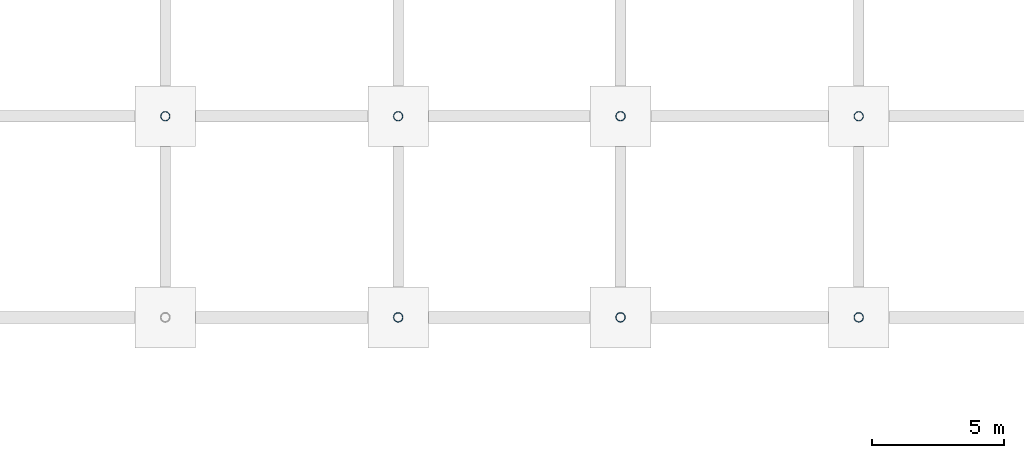
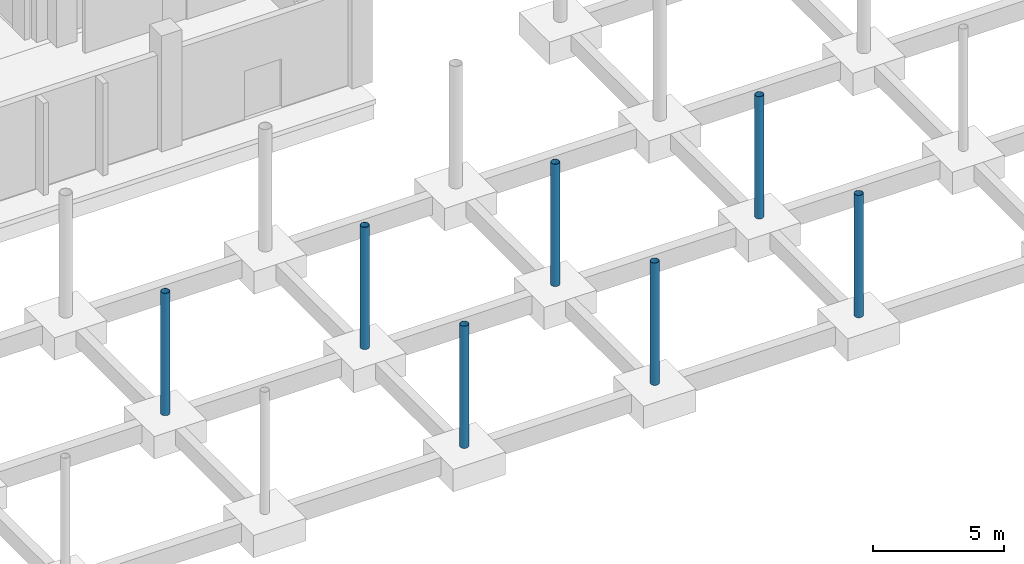
# One storey, part 10 of 95: 7 columns.
"""IFC4 building model written with IfcOpenShell, lengths in metres."""

from ifc_helpers import new_model, si_unit, direction, frame, origin, origin_2d, place, context, subcontext, project, spatial, hollow_circle, extrude, material, material_profile, profile_set, type_object, element, save


model = new_model("IFC4")

# Units and contexts
model_context = context("Model", 3, precision=1e-05, world=origin(), true_north=direction((0.0, 1.0)))
body_context = subcontext(model_context, "Body", "Model", "MODEL_VIEW")
ifc_project = project(units=[si_unit("LENGTHUNIT", "METRE"), si_unit("AREAUNIT", "SQUARE_METRE"), si_unit("VOLUMEUNIT", "CUBIC_METRE"), si_unit("PLANEANGLEUNIT", "RADIAN"), si_unit("MASSUNIT", "GRAM", prefix="KILO")], contexts=[model_context])

# Site, building, storey
site_placement = place(None, origin())
site = spatial("IfcSite", under=ifc_project, at=site_placement, CompositionType="ELEMENT")
building_placement = place(site_placement, origin())
building = spatial("IfcBuilding", under=site, at=building_placement, Name="Shengluoqiao Park Theatre", CompositionType="ELEMENT")
storey_placement = place(building_placement, origin())
storey = spatial("IfcBuildingStorey", under=building, at=storey_placement, Name="L00", CompositionType="ELEMENT", Elevation=0.0)

# Columns
ifc_material = material(Name="Steel Q355", Category="steel")
ifc_material_profile = material_profile(ifc_material, hollow_circle(Radius=0.177978515625, WallThickness=0.013916015625, at=origin_2d()), Name="CHS 356x14")
ifc_profile_set = profile_set([ifc_material_profile], Name="Steel Q355")
column_type = type_object("IfcColumnType", Name="STR-COL-C-CHS356", PredefinedType="COLUMN", material=ifc_profile_set)
for number, where, z_axis, x_axis, name in (
    (1, (95.199951171875, 60.800048828125, -0.300048828125), (0.0, 0.0, 1.0), (1.0, 0.0, 0.0), "L00 Column 0459"),
    (2, (104.0, 53.199951171875, -0.300048828125), (0.0, 0.0, 1.0), (1.0, 0.0, 0.0), "L00 Column 0491"),
    (3, (104.0, 60.800048828125, -0.300048828125), (0.0, 0.0, 1.0), (1.0, 0.0, 0.0), "L00 Column 0493"),
    (4, (112.39990234375, 53.199951171875, -0.300048828125), (0.0, 0.0, 1.0), (1.0, 0.0, 0.0), "L00 Column 0537"),
    (5, (112.39990234375, 60.800048828125, -0.300048828125), (0.0, 0.0, 1.0), (1.0, 0.0, 0.0), "L00 Column 0539"),
    (6, (121.39990234375, 53.199951171875, -0.300048828125), (0.0, 0.0, 1.0), (1.0, 0.0, 0.0), "L00 Column 0583"),
    (7, (121.39990234375, 60.800048828125, -0.300048828125), (0.0, 0.0, 1.0), (1.0, 0.0, 0.0), "L00 Column 0585"),
):
    element("IfcColumn", number, at=place(storey_placement, frame(where, z_axis=z_axis, x_axis=x_axis)), inside=storey, type_object=column_type, Name=name, PredefinedType="COLUMN", context=body_context, shape_type="SweptSolid", body=[
        extrude(hollow_circle(Radius=0.177978515625, WallThickness=0.013916015625, at=origin_2d()), origin(), (0.0, 0.0, 1.0), 5.699951171875),
    ])

save(model, "model.ifc")
